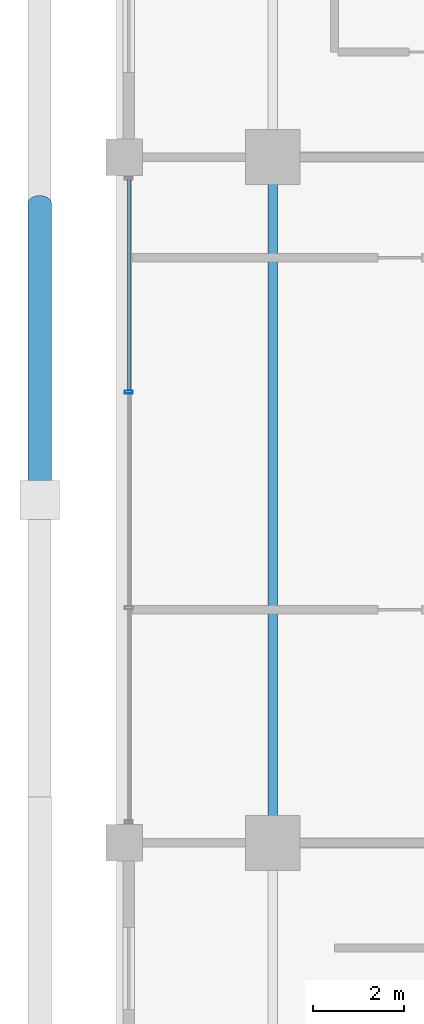
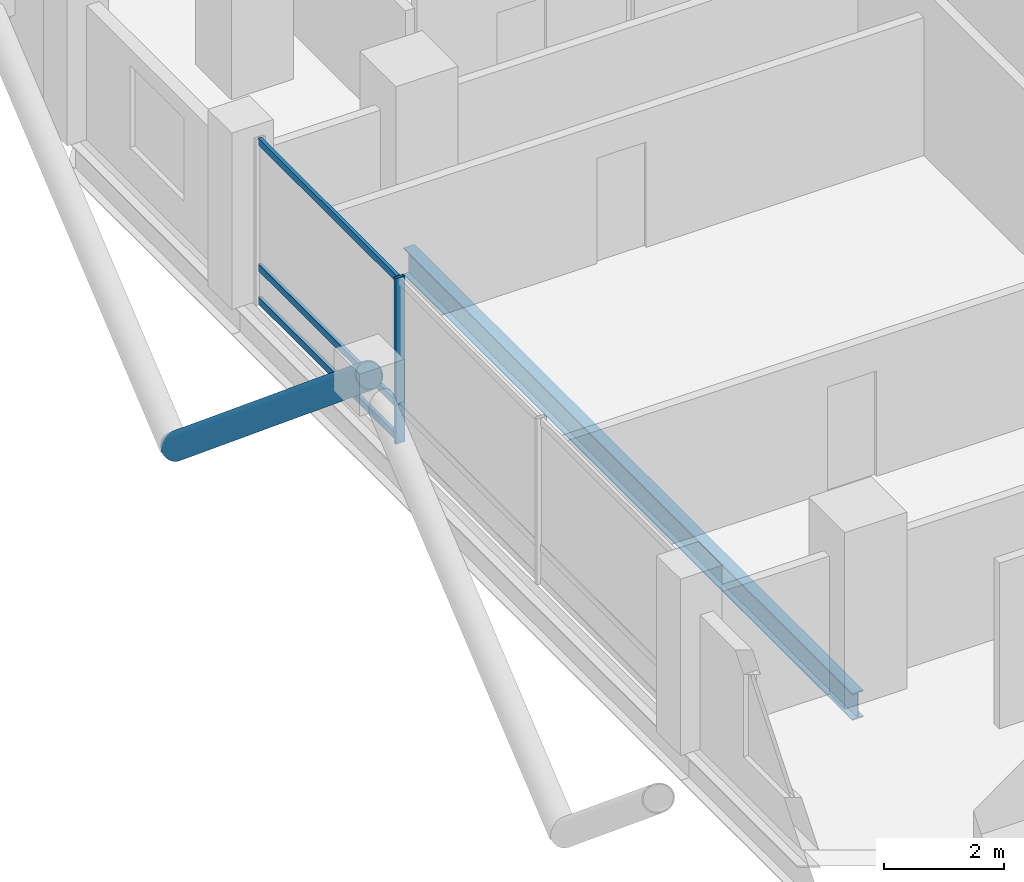
# One storey, part 6 of 23: 5 members, 1 beam, 1 element without a shape of its own.
"""IFC4 building model written with IfcOpenShell, lengths in metres."""

from ifc_helpers import new_model, si_unit, direction, frame, origin, origin_2d, place, context, subcontext, project, spatial, hollow_rectangle, hollow_circle, i_section, extrude, material, layer, layer_set, material_profile, profile_set, type_object, element, aggregate, save


model = new_model("IFC4")

# Units and contexts
model_context = context("Model", 3, precision=1e-05, world=origin(), true_north=direction((0.0, 1.0)))
body_context = subcontext(model_context, "Body", "Model", "MODEL_VIEW")
ifc_project = project(units=[si_unit("LENGTHUNIT", "METRE"), si_unit("AREAUNIT", "SQUARE_METRE"), si_unit("VOLUMEUNIT", "CUBIC_METRE"), si_unit("PLANEANGLEUNIT", "RADIAN"), si_unit("MASSUNIT", "GRAM", prefix="KILO")], contexts=[model_context])

# Site, building, storey
site_placement = place(None, origin())
site = spatial("IfcSite", under=ifc_project, at=site_placement, CompositionType="ELEMENT")
building_placement = place(site_placement, origin())
building = spatial("IfcBuilding", under=site, at=building_placement, Name="Barlavira Tower and Art Museum", CompositionType="ELEMENT")
storey_placement = place(building_placement, frame((0.0, 0.0, 151.199951171875)))
storey = spatial("IfcBuildingStorey", under=building, at=storey_placement, Name="L38", CompositionType="ELEMENT", Elevation=151.199951171875)

# Curtain wall, members
ifc_material_1 = material(Name="Low-iron coastal laminated glass", Category="glass")
ifc_layer = layer(ifc_material_1, 0.18994140625, Name="Low-iron coastal laminated glass")
ifc_layer_set = layer_set([ifc_layer], Name="Low-iron coastal laminated glass")
curtain_wall_type = type_object("IfcCurtainWallType", Name="Pale-Metal Unitised Curtain Wall Zone 2", PredefinedType="NOTDEFINED", material=ifc_layer_set)
curtain_wall_placement = place(storey_placement, origin())
curtain_wall = element("IfcCurtainWall", 1, at=curtain_wall_placement, inside=storey, type_object=curtain_wall_type, Name="L38 Curtain Wall CW2-L38-W-B3", PredefinedType="NOTDEFINED")
ifc_material_2 = material(Name="Pale anodised aluminium", Category="aluminium")
ifc_material_profile_1 = material_profile(ifc_material_2, hollow_rectangle(XDim=0.06494140625, YDim=0.179931640625, WallThickness=0.00390625, at=origin_2d()), Name="ALU-MULL 65x180x4")
ifc_profile_set_1 = profile_set([ifc_material_profile_1], Name="Pale anodised aluminium")
member_type_1 = type_object("IfcMemberType", Name="Curtain Wall Pale-Metal Mullion 65x180", PredefinedType="MULLION", material=ifc_profile_set_1)
member_1_placement = place(storey_placement, frame((-20.14990234375, 2.360107421875, 0.0), z_axis=(0.0, 0.0, 1.0), x_axis=(0.0, -1.0, 0.0)))
member_1 = element("IfcMember", 2, at=member_1_placement, type_object=member_type_1, Name="CW2-L38-W-B3 Mullion 1", PredefinedType="MULLION", context=body_context, shape_type="SweptSolid", body=[
    extrude(hollow_rectangle(XDim=0.06494140625, YDim=0.179931640625, WallThickness=0.00390625, at=origin_2d()), origin(), (0.0, 0.0, 1.0), 3.380126953125),
])
ifc_material_profile_2 = material_profile(ifc_material_2, hollow_rectangle(XDim=0.06494140625, YDim=0.139892578125, WallThickness=0.00390625, at=origin_2d()), Name="ALU-TRAN 65x140x4")
ifc_profile_set_2 = profile_set([ifc_material_profile_2], Name="Pale anodised aluminium")
member_type_2 = type_object("IfcMemberType", Name="Curtain Wall Pale-Metal Transom 65x140", PredefinedType="USERDEFINED", material=ifc_profile_set_2)
member_2_placement = place(storey_placement, frame((-20.14990234375, 7.034912109375, 0.070068359375), z_axis=(0.0, -1.0, 0.0), x_axis=(1.0, 0.0, 0.0)))
member_2 = element("IfcMember", 3, at=member_2_placement, type_object=member_type_2, Name="CW2-L38-W-B3 Transom 0.1", ObjectType="TRANSOM", PredefinedType="USERDEFINED", context=body_context, shape_type="SweptSolid", body=[
    extrude(hollow_rectangle(XDim=0.06494140625, YDim=0.139892578125, WallThickness=0.00390625, at=origin_2d()), origin(), (0.0, 0.0, 1.0), 4.6298828125),
])
member_3_placement = place(storey_placement, frame((-20.14990234375, 7.034912109375, 0.744140625), z_axis=(0.0, -1.0, 0.0), x_axis=(1.0, 0.0, 0.0)))
member_3 = element("IfcMember", 4, at=member_3_placement, type_object=member_type_2, Name="CW2-L38-W-B3 Transom 0.2", ObjectType="TRANSOM", PredefinedType="USERDEFINED", context=body_context, shape_type="SweptSolid", body=[
    extrude(hollow_rectangle(XDim=0.06494140625, YDim=0.139892578125, WallThickness=0.00390625, at=origin_2d()), origin(), (0.0, 0.0, 1.0), 4.6298828125),
])
member_4_placement = place(storey_placement, frame((-20.14990234375, 7.034912109375, 3.31005859375), z_axis=(0.0, -1.0, 0.0), x_axis=(1.0, 0.0, 0.0)))
member_4 = element("IfcMember", 5, at=member_4_placement, type_object=member_type_2, Name="CW2-L38-W-B3 Transom 0.3", ObjectType="TRANSOM", PredefinedType="USERDEFINED", context=body_context, shape_type="SweptSolid", body=[
    extrude(hollow_rectangle(XDim=0.06494140625, YDim=0.139892578125, WallThickness=0.00390625, at=origin_2d()), origin(), (0.0, 0.0, 1.0), 4.6298828125),
])
aggregate(curtain_wall, [member_1, member_2, member_3, member_4])

# Member
ifc_material_3 = material(Name="Steel S355", Category="steel")
ifc_material_profile_3 = material_profile(ifc_material_3, hollow_circle(Radius=0.25390625, WallThickness=0.022216796875, at=origin_2d()), Name="CHS 508.0x22.2")
ifc_profile_set_3 = profile_set([ifc_material_profile_3], Name="Steel S355")
member_type_3 = type_object("IfcMemberType", Name="Pale-Metal Exoskeleton Diagrid Tube CHS 508x22 Steel S355", PredefinedType="BRACE", material=ifc_profile_set_3)
member_5_placement = place(storey_placement, frame((-22.10009765625, 6.5, -1.919921875), z_axis=(0.0, -0.769196053329, 0.639012857104), x_axis=(1.0, 0.0, 0.0)))
element("IfcMember", 6, at=member_5_placement, inside=storey, type_object=member_type_3, Name="L38 Exoskeleton Diagrid Tube W", PredefinedType="BRACE", context=body_context, shape_type="SweptSolid", body=[
    extrude(hollow_circle(Radius=0.25390625, WallThickness=0.022216796875, at=origin_2d()), origin(), (0.0, 0.0, 1.0), 8.450439453125),
])

# Beam
ifc_material_profile_4 = material_profile(ifc_material_3, i_section(OverallWidth=0.214111328125, OverallDepth=0.549072265625, WebThickness=0.0146484375, FlangeThickness=0.023681640625, at=origin_2d()), Name="W530x138.0")
ifc_profile_set_4 = profile_set([ifc_material_profile_4], Name="Steel S355")
beam_type = type_object("IfcBeamType", Name="Zone 1 Primary Floor Girder W530x138 Steel S355", PredefinedType="BEAM", material=ifc_profile_set_4)
beam_placement = place(storey_placement, frame((-17.0, -7.5, -0.494384765625), z_axis=(0.0, 1.0, 0.0), x_axis=(-1.0, 0.0, 0.0)))
element("IfcBeam", 7, at=beam_placement, inside=storey, type_object=beam_type, Name="L38 Girder M-W2", PredefinedType="BEAM", context=body_context, shape_type="SweptSolid", body=[
    extrude(i_section(OverallWidth=0.214111328125, OverallDepth=0.549072265625, WebThickness=0.0146484375, FlangeThickness=0.023681640625, at=origin_2d()), origin(), (0.0, 0.0, 1.0), 15.0),
])

save(model, "model.ifc")
